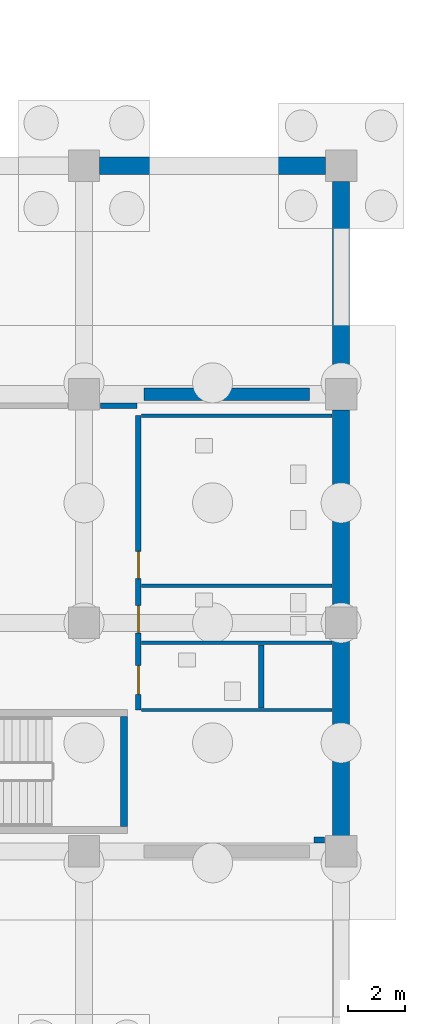
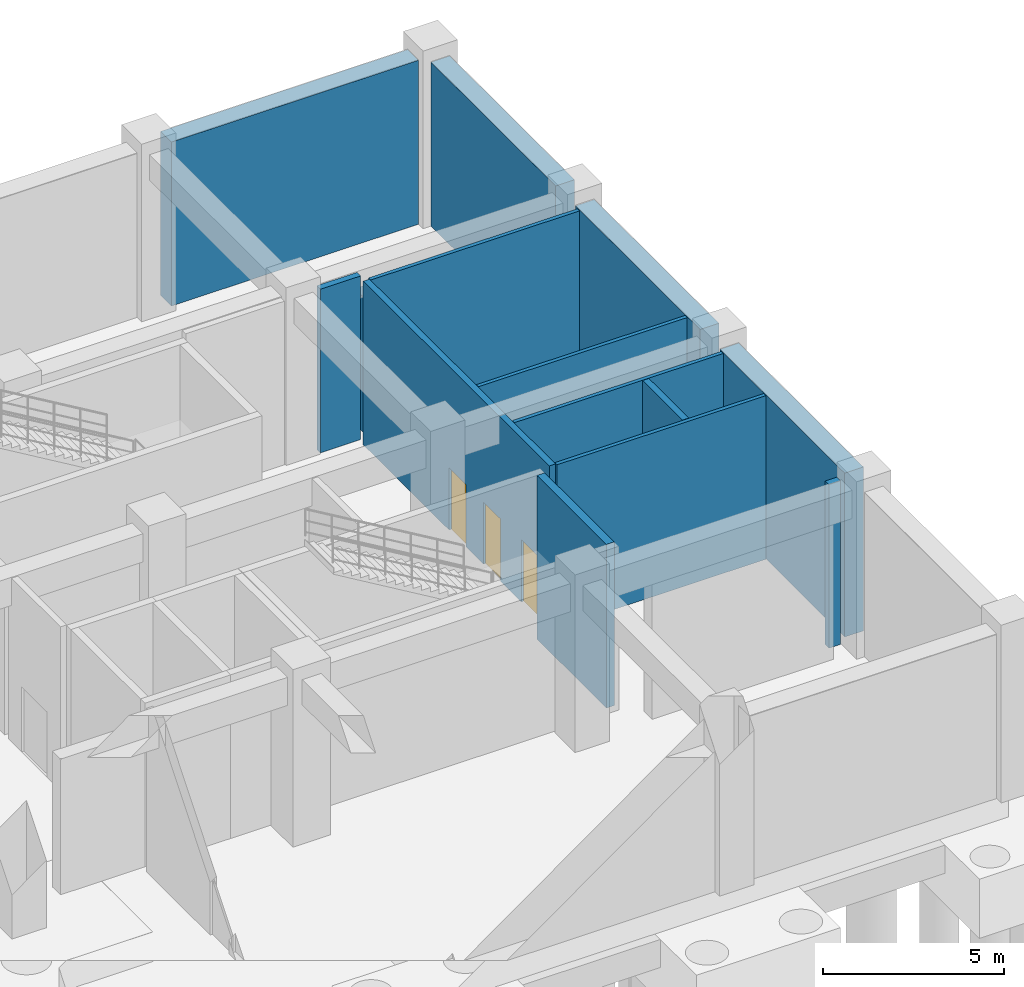
# One storey, part 13 of 18: 14 walls, 3 doors, 3 openings.
"""IFC4 building model written with IfcOpenShell, lengths in metres."""

import ifcopenshell
import ifcopenshell.guid

model = None  # the IFC model being written
_history = None  # IfcOwnerHistory: only IFC2X3 demands one
_inside = {}  # id of a spatial element -> (the spatial element, [elements in it])
_under = {}  # id of a project, library or spatial element -> (it, [spatial elements below it])
_declared = {}  # id of a project -> (the project, [libraries it declares])
_typed = {}  # id of a type object -> (the type object, [elements of that type])
_made_of = {}  # id of a material, layer set ... -> (it, [elements and type objects made of it])


def new_model(schema):
    """Start an empty IFC model of exactly this schema.

    Asked for "IFC4X3", IfcOpenShell would pick the latest addendum, in which some entities
    have other attributes; the version numbers below select the first issue.
    IFC2X3 requires an IfcOwnerHistory on every rooted entity: one is made here for all.
    """
    global model, _history
    if schema == "IFC4X3":
        model = ifcopenshell.file(schema_version=(4, 3, 0, 0))
    else:
        model = ifcopenshell.file(schema=schema)
    _inside.clear()
    _under.clear()
    _declared.clear()
    _typed.clear()
    _made_of.clear()
    _history = None
    if model.schema == "IFC2X3":
        org = make("IfcOrganization", Name="unknown")
        user = make(
            "IfcPersonAndOrganization",
            ThePerson=make("IfcPerson", FamilyName="unknown"),
            TheOrganization=org,
        )
        app = make(
            "IfcApplication",
            ApplicationDeveloper=org,
            Version="unknown",
            ApplicationFullName="unknown",
            ApplicationIdentifier="unknown",
        )
        _history = make(
            "IfcOwnerHistory",
            OwningUser=user,
            OwningApplication=app,
            ChangeAction="ADDED",
            CreationDate=0,
        )
    return model


def make(cls, **values):
    """One entity of the class cls with the attributes given. An attribute that is None is left unset."""
    return model.create_entity(
        cls, **{name: value for name, value in values.items() if value is not None}
    )


def rooted(cls, **values):
    """An entity with a GlobalId (a new one), such as an element, a storey or a relation."""
    return make(cls, GlobalId=ifcopenshell.guid.new(), OwnerHistory=_history, **values)


def si_unit(unit_type, name, prefix=None):
    """IfcSIUnit, for example si_unit("LENGTHUNIT", "METRE", prefix="MILLI")."""
    return make("IfcSIUnit", UnitType=unit_type, Prefix=prefix, Name=name)


def derived_unit(unit_type, elements):
    """IfcDerivedUnit: a product of units, each with its exponent."""
    return make(
        "IfcDerivedUnit",
        Elements=[
            make("IfcDerivedUnitElement", Unit=unit, Exponent=power)
            for unit, power in elements
        ],
        UnitType=unit_type,
    )


def assignment(units):
    """IfcUnitAssignment: the units of a project."""
    return None if units is None else make("IfcUnitAssignment", Units=units)


def point(xyz):
    """IfcCartesianPoint."""
    return None if xyz is None else make("IfcCartesianPoint", Coordinates=xyz)


def direction(xyz):
    """IfcDirection."""
    return None if xyz is None else make("IfcDirection", DirectionRatios=xyz)


def frame(location, z_axis=None, x_axis=None):
    """IfcAxis2Placement3D, a coordinate frame: its origin and axes. An axis left out is left unset."""
    return make(
        "IfcAxis2Placement3D",
        Location=point(location),
        Axis=direction(z_axis),
        RefDirection=direction(x_axis),
    )


def frame_2d(location, x_axis=None):
    """IfcAxis2Placement2D, a coordinate frame in the plane: its origin and x axis."""
    return make(
        "IfcAxis2Placement2D", Location=point(location), RefDirection=direction(x_axis)
    )


def origin():
    """The frame at (0, 0, 0) with its axes left unset."""
    return frame((0.0, 0.0, 0.0))


def place(relative_to, where):
    """IfcLocalPlacement: puts the frame where relative to a parent placement (None: the world)."""
    return make(
        "IfcLocalPlacement", PlacementRelTo=relative_to, RelativePlacement=where
    )


def context(
    kind, dimensions, precision=None, world=None, true_north=None, identifier=None
):
    """IfcGeometricRepresentationContext, for example the 3D "Model" context."""
    return make(
        "IfcGeometricRepresentationContext",
        ContextIdentifier=identifier,
        ContextType=kind,
        CoordinateSpaceDimension=dimensions,
        Precision=precision,
        WorldCoordinateSystem=world,
        TrueNorth=true_north,
    )


def subcontext(parent, identifier, kind, view, scale=None):
    """IfcGeometricRepresentationSubContext, for example "Body" below "Model"."""
    return make(
        "IfcGeometricRepresentationSubContext",
        ContextIdentifier=identifier,
        ContextType=kind,
        ParentContext=parent,
        TargetScale=scale,
        TargetView=view,
    )


def project(units=None, contexts=None):
    """IfcProject with its units and contexts."""
    return rooted(
        "IfcProject",
        Name="project",
        RepresentationContexts=contexts,
        UnitsInContext=assignment(units),
    )


def spatial(cls, under=None, at=None, **own):
    """A site, building, storey or space (cls), placed at a placement, below another one or the project."""
    s = rooted(cls, ObjectPlacement=at, **own)
    if under is not None:
        _under.setdefault(under.id(), (under, []))[1].append(s)
    return s


def profile(cls, at=None, kind="AREA", **sizes):
    """A parametric profile (cls). Its sizes go by their IFC names, for example OverallWidth=200.0."""
    return make(cls, ProfileType=kind, Position=at, **sizes)


def rectangle(**sizes):
    """IfcRectangleProfileDef."""
    return profile("IfcRectangleProfileDef", **sizes)


def extrude(swept, where, along, depth):
    """IfcExtrudedAreaSolid: the profile swept, set in the frame where, extruded along a direction by depth."""
    return make(
        "IfcExtrudedAreaSolid",
        SweptArea=swept,
        Position=where,
        ExtrudedDirection=direction(along),
        Depth=depth,
    )


def shape(context_of_items, identifier, shape_type, items):
    """IfcShapeRepresentation: the items that make up one representation, for example the "Body"."""
    return make(
        "IfcShapeRepresentation",
        ContextOfItems=context_of_items,
        RepresentationIdentifier=identifier,
        RepresentationType=shape_type,
        Items=items,
    )


def material(Name=None, Category=None):
    """IfcMaterial."""
    return make("IfcMaterial", Name=Name, Category=Category)


def layer(
    of_material, thickness, ventilated=None, Name=None, Category=None, Priority=None
):
    """IfcMaterialLayer: one layer of a wall or slab, of a material (None: an air gap)."""
    return make(
        "IfcMaterialLayer",
        Material=of_material,
        LayerThickness=thickness,
        IsVentilated=ventilated,
        Name=Name,
        Category=Category,
        Priority=Priority,
    )


def layer_set(layers, Name=None):
    """IfcMaterialLayerSet."""
    return make("IfcMaterialLayerSet", MaterialLayers=layers, LayerSetName=Name)


def made_of(thing, what):
    """Note that an element or type object is made of a material, layer set ...; save() writes the relation."""
    if what is not None:
        _made_of.setdefault(what.id(), (what, []))[1].append(thing)
    return thing


def type_object(cls, material=None, **own):
    """A type object (cls), such as IfcWallType, which elements share."""
    return made_of(rooted(cls, **own), material)


def element(
    cls,
    number,
    at=None,
    inside=None,
    cuts=None,
    type_object=None,
    material=None,
    context=None,
    identifier="Body",
    shape_type=None,
    held_by="IfcProductDefinitionShape",
    body=None,
    shapes=None,
    **own,
):
    """One element of the class cls, such as IfcWall. Its Tag is "e" and its number.

    at: its placement. inside: the storey or other place that contains it. cuts: it is an
    opening in that element (IfcRelVoidsElement). A single representation is given by context,
    identifier, shape_type and body (its items); several are given by shapes. held_by: the class
    of the entity that holds the representations. save() writes the other relations.
    """
    e = rooted(cls, Tag="e%d" % number, ObjectPlacement=at, **own)
    if body is not None:
        shapes = [shape(context, identifier, shape_type, body)]
    if shapes is not None:
        e.Representation = make(held_by, Representations=shapes)
    if inside is not None:
        _inside.setdefault(inside.id(), (inside, []))[1].append(e)
    if cuts is not None:
        rooted(
            "IfcRelVoidsElement", RelatingBuildingElement=cuts, RelatedOpeningElement=e
        )
    if type_object is not None:
        _typed.setdefault(type_object.id(), (type_object, []))[1].append(e)
    return made_of(e, material)


def fill(opening, filler):
    """IfcRelFillsElement: the door or window that sits in an opening."""
    return rooted(
        "IfcRelFillsElement",
        RelatingOpeningElement=opening,
        RelatedBuildingElement=filler,
    )


def aggregate(whole, parts):
    """IfcRelAggregates: a whole, such as a stair, and the parts it consists of."""
    return rooted("IfcRelAggregates", RelatingObject=whole, RelatedObjects=parts)


def save(model, path):
    """Write the relations noted so far, then the file.

    IfcRelAggregates (storeys below a building ...), IfcRelContainedInSpatialStructure (elements
    in a storey), IfcRelDefinesByType, IfcRelAssociatesMaterial and IfcRelDeclares: one each for
    every whole, place, type object, material and project.
    """
    for whole, parts in _under.values():
        aggregate(whole, parts)
    for where, things in _inside.values():
        rooted(
            "IfcRelContainedInSpatialStructure",
            RelatedElements=things,
            RelatingStructure=where,
        )
    for kind, things in _typed.values():
        rooted("IfcRelDefinesByType", RelatedObjects=things, RelatingType=kind)
    for what, things in _made_of.values():
        rooted("IfcRelAssociatesMaterial", RelatedObjects=things, RelatingMaterial=what)
    for by, libraries in _declared.values():
        rooted("IfcRelDeclares", RelatingContext=by, RelatedDefinitions=libraries)
    model.write(path)


model = new_model("IFC4")

# Units and contexts
model_context = context("Model", 3, precision=1e-05, world=origin(), true_north=direction((0.0, 1.0)))
body_context = subcontext(model_context, "Body", "Model", "MODEL_VIEW")
ifc_project = project(units=[si_unit("LENGTHUNIT", "METRE"), si_unit("AREAUNIT", "SQUARE_METRE"), si_unit("VOLUMEUNIT", "CUBIC_METRE"), si_unit("PLANEANGLEUNIT", "RADIAN"), si_unit("MASSUNIT", "GRAM", prefix="KILO"), derived_unit("THERMALTRANSMITTANCEUNIT", [(si_unit("MASSUNIT", "GRAM", prefix="KILO"), 1), (si_unit("TIMEUNIT", "SECOND"), -3), (si_unit("THERMODYNAMICTEMPERATUREUNIT", "KELVIN"), -1)])], contexts=[model_context])

# Site, building, storey
site_placement = place(None, origin())
site = spatial("IfcSite", under=ifc_project, at=site_placement, CompositionType="ELEMENT")
building_placement = place(site_placement, origin())
building = spatial("IfcBuilding", under=site, at=building_placement, Name="Zhenchuan Archway Interchange", CompositionType="ELEMENT")
storey_placement = place(building_placement, frame((0.0, 0.0, -12.0)))
storey = spatial("IfcBuildingStorey", under=building, at=storey_placement, Name="B2", CompositionType="ELEMENT", Elevation=-12.0)

# Walls
ifc_material_1 = material(Name="Concrete C40", Category="concrete")
ifc_layer_1 = layer(ifc_material_1, 0.60009765625)
ifc_layer_set_1 = layer_set([ifc_layer_1], Name="Concrete C40")
wall_type_1 = type_object("IfcWallType", Name="EW_DIAPH_600", PredefinedType="STANDARD", material=ifc_layer_set_1)
wall_1_placement = place(storey_placement, frame((162.548095703125, 72.0, 0.0), z_axis=(0.0, 0.0, 1.0), x_axis=(1.0, 0.0, 0.0)))
element("IfcWall", 1, at=wall_1_placement, inside=storey, type_object=wall_type_1, Name="Basement diaphragm wall B2-024", PredefinedType="STANDARD", context=body_context, shape_type="SweptSolid", body=[
    extrude(rectangle(XDim=7.90380859375, YDim=0.60009765625, at=frame_2d((3.951904296875, 0.0))), origin(), (0.0, 0.0, 1.0), 5.5400390625),
])
for number, where, z_axis, x_axis, name in (
    (2, (171.0, 71.451904296875, 0.0), (0.0, 0.0, 1.0), (0.0, -1.0, 0.0), "Basement diaphragm wall B2-025"),
    (3, (171.0, 63.451904296875, 0.0), (0.0, 0.0, 1.0), (0.0, -1.0, 0.0), "Basement diaphragm wall B2-026"),
    (4, (171.0, 55.451904296875, 0.0), (0.0, 0.0, 1.0), (0.0, -1.0, 0.0), "Basement diaphragm wall B2-027"),
):
    element("IfcWall", number, at=place(storey_placement, frame(where, z_axis=z_axis, x_axis=x_axis)), inside=storey, type_object=wall_type_1, Name=name, PredefinedType="STANDARD", context=body_context, shape_type="SweptSolid", body=[
        extrude(rectangle(XDim=6.90380859375, YDim=0.60009765625, at=frame_2d((3.451904296875, 0.0))), origin(), (0.0, 0.0, 1.0), 5.5400390625),
    ])
ifc_material_2 = material(Name="Concrete C50", Category="concrete")
ifc_layer_2 = layer(ifc_material_2, 0.449951171875)
ifc_layer_set_2 = layer_set([ifc_layer_2], Name="Concrete C50")
wall_type_2 = type_object("IfcWallType", Name="WL_CORE_450", PredefinedType="SHEAR", material=ifc_layer_set_2)
wall_2_placement = place(storey_placement, frame((164.10009765625, 64.0, 0.0), z_axis=(0.0, 0.0, 1.0), x_axis=(1.0, 0.0, 0.0)))
element("IfcWall", 5, at=wall_2_placement, inside=storey, type_object=wall_type_2, Name="Operations lateral shear wall E-N (B2)", PredefinedType="SHEAR", context=body_context, shape_type="SweptSolid", body=[
    extrude(rectangle(XDim=5.7998046875, YDim=0.449951171875, at=frame_2d((2.89990234375, 0.0))), origin(), (0.0, 0.0, 1.0), 4.580078125),
])

# Wall, openings, doors
ifc_material_3 = material(Name="Autoclaved Aerated Concrete Block", Category="concrete")
ifc_layer_3 = layer(ifc_material_3, 0.199951171875)
ifc_layer_set_3 = layer_set([ifc_layer_3], Name="Autoclaved Aerated Concrete Block")
wall_type_3 = type_object("IfcWallType", Name="WL_FIRE_200", PredefinedType="STANDARD", material=ifc_layer_set_3)
wall_3_placement = place(storey_placement, frame((163.89990234375, 52.949951171875, 0.0), z_axis=(0.0, 0.0, 1.0), x_axis=(0.0, 1.0, 0.0)))
wall_3 = element("IfcWall", 6, at=wall_3_placement, inside=storey, type_object=wall_type_3, Name="Sanitary block west wall (B2)", PredefinedType="STANDARD", context=body_context, shape_type="SweptSolid", body=[
    extrude(rectangle(XDim=10.300048828125, YDim=0.199951171875, at=frame_2d((5.14990234375, 0.0))), origin(), (0.0, 0.0, 1.0), 5.530029296875),
])
opening_1_placement = place(wall_3_placement, frame((0.550048828125, 0.0, 0.0)))
opening_1 = element("IfcOpeningElement", 7, at=opening_1_placement, cuts=wall_3, Name="Opening ID-02", PredefinedType="OPENING", context=body_context, shape_type="SweptSolid", body=[
    extrude(rectangle(XDim=1.0, YDim=2.10009765625, at=frame_2d((0.5, 1.050048828125))), frame((0.0, 0.11181640625, 0.0), z_axis=(0.0, -1.0, 0.0), x_axis=(1.0, 0.0, 0.0)), (0.0, 0.0, 1.0), 0.223876953125),
])
opening_2_placement = place(wall_3_placement, frame((2.699951171875, 0.0, 0.0)))
opening_2 = element("IfcOpeningElement", 8, at=opening_2_placement, cuts=wall_3, Name="Opening ID-03", PredefinedType="OPENING", context=body_context, shape_type="SweptSolid", body=[
    extrude(rectangle(XDim=0.949951171875, YDim=2.10009765625, at=frame_2d((0.47509765625, 1.050048828125))), frame((0.0, 0.11181640625, 0.0), z_axis=(0.0, -1.0, 0.0), x_axis=(1.0, 0.0, 0.0)), (0.0, 0.0, 1.0), 0.223876953125),
])
opening_3_placement = place(wall_3_placement, frame((4.60009765625, 0.0, 0.0)))
opening_3 = element("IfcOpeningElement", 9, at=opening_3_placement, cuts=wall_3, Name="Opening ID-03", PredefinedType="OPENING", context=body_context, shape_type="SweptSolid", body=[
    extrude(rectangle(XDim=0.949951171875, YDim=2.10009765625, at=frame_2d((0.47509765625, 1.050048828125))), frame((0.0, 0.11181640625, 0.0), z_axis=(0.0, -1.0, 0.0), x_axis=(1.0, 0.0, 0.0)), (0.0, 0.0, 1.0), 0.223876953125),
])
ifc_material_4 = material(Name="Hardwood Timber", Category="wood")
door_type_1 = type_object("IfcDoorType", Name="DR_OPS_100", OperationType="NOTDEFINED", PredefinedType="DOOR", material=ifc_material_4)
door_1_placement = place(opening_1_placement, origin())
door_1 = element("IfcDoor", 10, at=door_1_placement, inside=storey, type_object=door_type_1, Name="Accessible WC door (B2)", OperationType="SINGLE_SWING_LEFT", OverallHeight=2.10009765625, OverallWidth=1.0, PredefinedType="DOOR", context=body_context, shape_type="SweptSolid", body=[
    extrude(rectangle(XDim=1.0, YDim=2.10009765625, at=frame_2d((0.5, 1.050048828125))), frame((0.0, 0.02490234375, 0.0), z_axis=(0.0, -1.0, 0.0), x_axis=(1.0, 0.0, 0.0)), (0.0, 0.0, 1.0), 0.050048828125),
])
fill(opening_1, door_1)
door_type_2 = type_object("IfcDoorType", Name="DR_WC_95", OperationType="NOTDEFINED", PredefinedType="DOOR", material=ifc_material_4)
door_2_placement = place(opening_2_placement, origin())
door_2 = element("IfcDoor", 11, at=door_2_placement, inside=storey, type_object=door_type_2, Name="Male toilet door (B2)", OperationType="SINGLE_SWING_RIGHT", OverallHeight=2.10009765625, OverallWidth=0.949951171875, PredefinedType="DOOR", context=body_context, shape_type="SweptSolid", body=[
    extrude(rectangle(XDim=0.949951171875, YDim=2.10009765625, at=frame_2d((0.47509765625, 1.050048828125))), frame((0.0, 0.02490234375, 0.0), z_axis=(0.0, -1.0, 0.0), x_axis=(1.0, 0.0, 0.0)), (0.0, 0.0, 1.0), 0.050048828125),
])
fill(opening_2, door_2)
door_3_placement = place(opening_3_placement, origin())
door_3 = element("IfcDoor", 12, at=door_3_placement, inside=storey, type_object=door_type_2, Name="Female toilet door (B2)", OperationType="SINGLE_SWING_LEFT", OverallHeight=2.10009765625, OverallWidth=0.949951171875, PredefinedType="DOOR", context=body_context, shape_type="SweptSolid", body=[
    extrude(rectangle(XDim=0.949951171875, YDim=2.10009765625, at=frame_2d((0.47509765625, 1.050048828125))), frame((0.0, 0.02490234375, 0.0), z_axis=(0.0, -1.0, 0.0), x_axis=(1.0, 0.0, 0.0)), (0.0, 0.0, 1.0), 0.050048828125),
])
fill(opening_3, door_3)

# Walls
wall_4_placement = place(storey_placement, frame((168.199951171875, 53.02001953125, 0.0), z_axis=(0.0, 0.0, 1.0), x_axis=(0.0, 1.0, 0.0)))
element("IfcWall", 13, at=wall_4_placement, inside=storey, type_object=wall_type_3, Name="MEP riser west fire wall (B2)", PredefinedType="STANDARD", context=body_context, shape_type="SweptSolid", body=[
    extrude(rectangle(XDim=2.2099609375, YDim=0.199951171875, at=frame_2d((1.10498046875, 0.0))), origin(), (0.0, 0.0, 1.0), 5.530029296875),
])
wall_5_placement = place(storey_placement, frame((170.050048828125, 48.39990234375, 0.0), z_axis=(0.0, 0.0, 1.0), x_axis=(1.0, 0.0, 0.0)))
element("IfcWall", 14, at=wall_5_placement, inside=storey, type_object=wall_type_3, Name="Station Seawater and Chiller Plant Room N partition (B2)", PredefinedType="STANDARD", context=body_context, shape_type="SweptSolid", body=[
    extrude(rectangle(XDim=0.375, YDim=0.199951171875, at=frame_2d((0.1875, 0.0))), origin(), (0.0, 0.0, 1.0), 5.530029296875),
])
wall_6_placement = place(storey_placement, frame((162.574951171875, 63.60009765625, 0.0), z_axis=(0.0, 0.0, 1.0), x_axis=(1.0, 0.0, 0.0)))
element("IfcWall", 15, at=wall_6_placement, inside=storey, type_object=wall_type_3, Name="Fire Sprinkler and Storm Sump Pump Room S partition (B2)", PredefinedType="STANDARD", context=body_context, shape_type="SweptSolid", body=[
    extrude(rectangle(XDim=1.28515625, YDim=0.199951171875, at=frame_2d((0.642578125, 0.0))), origin(), (0.0, 0.0, 1.0), 5.530029296875),
])
ifc_layer_4 = layer(ifc_material_1, 0.25)
ifc_layer_set_4 = layer_set([ifc_layer_4], Name="Concrete C40")
wall_type_4 = type_object("IfcWallType", Name="WL_STAIR_250", PredefinedType="SHEAR", material=ifc_layer_set_4)
wall_7_placement = place(storey_placement, frame((163.39990234375, 48.875, 0.0), z_axis=(0.0, 0.0, 1.0), x_axis=(0.0, 1.0, 0.0)))
element("IfcWall", 16, at=wall_7_placement, inside=storey, type_object=wall_type_4, Name="Stair ST-O2 east wall (B2)", PredefinedType="SHEAR", context=body_context, shape_type="SweptSolid", body=[
    extrude(rectangle(XDim=3.85009765625, YDim=0.25, at=frame_2d((1.925048828125, 0.0))), origin(), (0.0, 0.0, 1.0), 5.530029296875),
])
ifc_material_5 = material(Name="Gypsum Plasterboard", Category="gypsum")
ifc_layer_5 = layer(ifc_material_5, 0.1201171875)
ifc_layer_set_5 = layer_set([ifc_layer_5], Name="Gypsum Plasterboard")
wall_type_5 = type_object("IfcWallType", Name="WL_WC_120", PredefinedType="STANDARD", material=ifc_layer_set_5)
for number, where, z_axis, x_axis, name in (
    (17, (164.010009765625, 52.949951171875, 0.0), (0.0, 0.0, 1.0), (1.0, 0.0, 0.0), "Sanitary divider S (B2)"),
    (18, (164.010009765625, 55.300048828125, 0.0), (0.0, 0.0, 1.0), (1.0, 0.0, 0.0), "Sanitary divider AM (B2)"),
    (19, (164.010009765625, 57.300048828125, 0.0), (0.0, 0.0, 1.0), (1.0, 0.0, 0.0), "Sanitary divider MF (B2)"),
    (20, (164.010009765625, 63.25, 0.0), (0.0, 0.0, 1.0), (1.0, 0.0, 0.0), "Sanitary divider FN (B2)"),
):
    element("IfcWall", number, at=place(storey_placement, frame(where, z_axis=z_axis, x_axis=x_axis)), inside=storey, type_object=wall_type_5, Name=name, PredefinedType="STANDARD", context=body_context, shape_type="SweptSolid", body=[
        extrude(rectangle(XDim=6.675048828125, YDim=0.1201171875, at=frame_2d((3.33740234375, 0.0))), origin(), (0.0, 0.0, 1.0), 5.530029296875),
    ])

save(model, "model.ifc")
